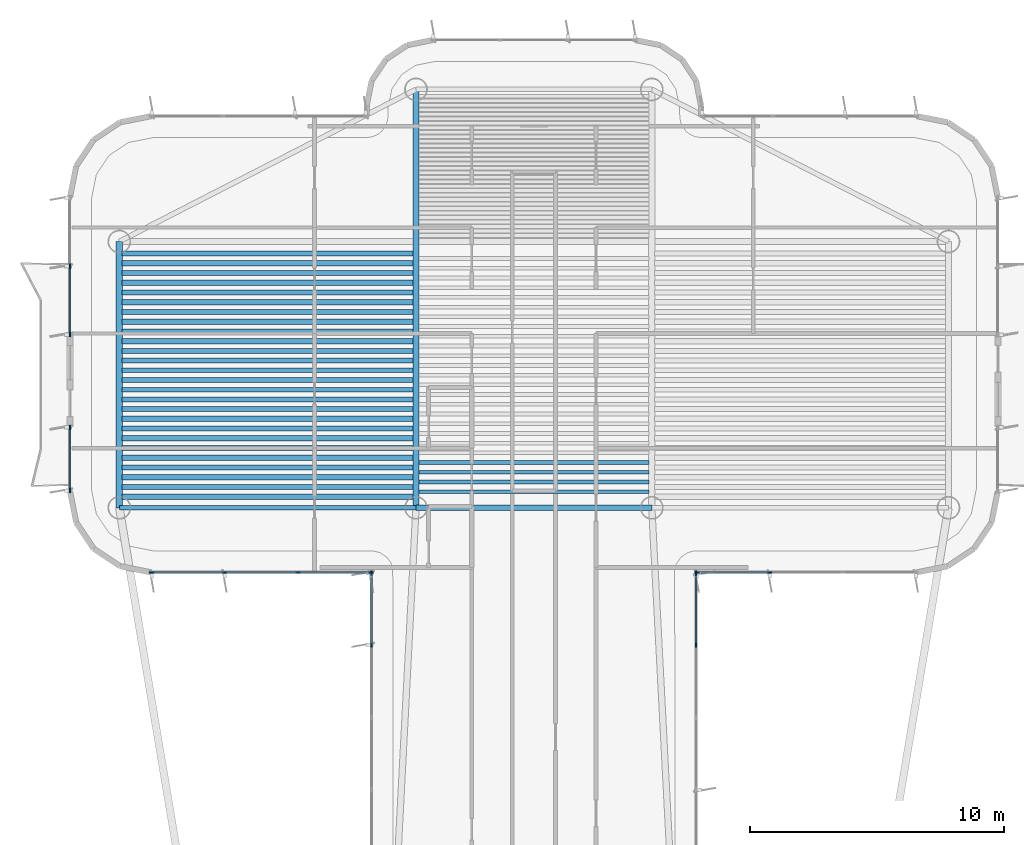
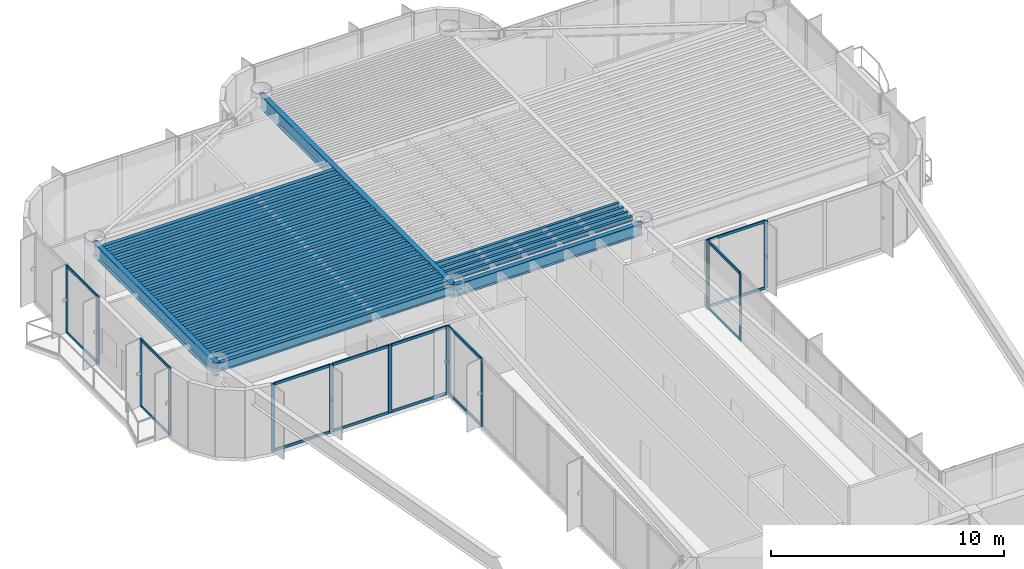
# One storey, part 5 of 15: 34 beams, 30 members, 6 elements without a shape of their own.
"""IFC4 building model written with IfcOpenShell, lengths in metres."""

import ifcopenshell
import ifcopenshell.guid

model = None  # the IFC model being written
_history = None  # IfcOwnerHistory: only IFC2X3 demands one
_inside = {}  # id of a spatial element -> (the spatial element, [elements in it])
_under = {}  # id of a project, library or spatial element -> (it, [spatial elements below it])
_declared = {}  # id of a project -> (the project, [libraries it declares])
_typed = {}  # id of a type object -> (the type object, [elements of that type])
_made_of = {}  # id of a material, layer set ... -> (it, [elements and type objects made of it])


def new_model(schema):
    """Start an empty IFC model of exactly this schema.

    Asked for "IFC4X3", IfcOpenShell would pick the latest addendum, in which some entities
    have other attributes; the version numbers below select the first issue.
    IFC2X3 requires an IfcOwnerHistory on every rooted entity: one is made here for all.
    """
    global model, _history
    if schema == "IFC4X3":
        model = ifcopenshell.file(schema_version=(4, 3, 0, 0))
    else:
        model = ifcopenshell.file(schema=schema)
    _inside.clear()
    _under.clear()
    _declared.clear()
    _typed.clear()
    _made_of.clear()
    _history = None
    if model.schema == "IFC2X3":
        org = make("IfcOrganization", Name="unknown")
        user = make(
            "IfcPersonAndOrganization",
            ThePerson=make("IfcPerson", FamilyName="unknown"),
            TheOrganization=org,
        )
        app = make(
            "IfcApplication",
            ApplicationDeveloper=org,
            Version="unknown",
            ApplicationFullName="unknown",
            ApplicationIdentifier="unknown",
        )
        _history = make(
            "IfcOwnerHistory",
            OwningUser=user,
            OwningApplication=app,
            ChangeAction="ADDED",
            CreationDate=0,
        )
    return model


def make(cls, **values):
    """One entity of the class cls with the attributes given. An attribute that is None is left unset."""
    return model.create_entity(
        cls, **{name: value for name, value in values.items() if value is not None}
    )


def rooted(cls, **values):
    """An entity with a GlobalId (a new one), such as an element, a storey or a relation."""
    return make(cls, GlobalId=ifcopenshell.guid.new(), OwnerHistory=_history, **values)


def si_unit(unit_type, name, prefix=None):
    """IfcSIUnit, for example si_unit("LENGTHUNIT", "METRE", prefix="MILLI")."""
    return make("IfcSIUnit", UnitType=unit_type, Prefix=prefix, Name=name)


def assignment(units):
    """IfcUnitAssignment: the units of a project."""
    return None if units is None else make("IfcUnitAssignment", Units=units)


def point(xyz):
    """IfcCartesianPoint."""
    return None if xyz is None else make("IfcCartesianPoint", Coordinates=xyz)


def direction(xyz):
    """IfcDirection."""
    return None if xyz is None else make("IfcDirection", DirectionRatios=xyz)


def frame(location, z_axis=None, x_axis=None):
    """IfcAxis2Placement3D, a coordinate frame: its origin and axes. An axis left out is left unset."""
    return make(
        "IfcAxis2Placement3D",
        Location=point(location),
        Axis=direction(z_axis),
        RefDirection=direction(x_axis),
    )


def frame_2d(location, x_axis=None):
    """IfcAxis2Placement2D, a coordinate frame in the plane: its origin and x axis."""
    return make(
        "IfcAxis2Placement2D", Location=point(location), RefDirection=direction(x_axis)
    )


def origin():
    """The frame at (0, 0, 0) with its axes left unset."""
    return frame((0.0, 0.0, 0.0))


def origin_2d():
    """The frame at (0, 0) in the plane with its x axis left unset."""
    return frame_2d((0.0, 0.0))


def place(relative_to, where):
    """IfcLocalPlacement: puts the frame where relative to a parent placement (None: the world)."""
    return make(
        "IfcLocalPlacement", PlacementRelTo=relative_to, RelativePlacement=where
    )


def context(
    kind, dimensions, precision=None, world=None, true_north=None, identifier=None
):
    """IfcGeometricRepresentationContext, for example the 3D "Model" context."""
    return make(
        "IfcGeometricRepresentationContext",
        ContextIdentifier=identifier,
        ContextType=kind,
        CoordinateSpaceDimension=dimensions,
        Precision=precision,
        WorldCoordinateSystem=world,
        TrueNorth=true_north,
    )


def subcontext(parent, identifier, kind, view, scale=None):
    """IfcGeometricRepresentationSubContext, for example "Body" below "Model"."""
    return make(
        "IfcGeometricRepresentationSubContext",
        ContextIdentifier=identifier,
        ContextType=kind,
        ParentContext=parent,
        TargetScale=scale,
        TargetView=view,
    )


def project(units=None, contexts=None):
    """IfcProject with its units and contexts."""
    return rooted(
        "IfcProject",
        Name="project",
        RepresentationContexts=contexts,
        UnitsInContext=assignment(units),
    )


def spatial(cls, under=None, at=None, **own):
    """A site, building, storey or space (cls), placed at a placement, below another one or the project."""
    s = rooted(cls, ObjectPlacement=at, **own)
    if under is not None:
        _under.setdefault(under.id(), (under, []))[1].append(s)
    return s


def profile(cls, at=None, kind="AREA", **sizes):
    """A parametric profile (cls). Its sizes go by their IFC names, for example OverallWidth=200.0."""
    return make(cls, ProfileType=kind, Position=at, **sizes)


def rectangle(**sizes):
    """IfcRectangleProfileDef."""
    return profile("IfcRectangleProfileDef", **sizes)


def i_section(**sizes):
    """IfcIShapeProfileDef."""
    return profile("IfcIShapeProfileDef", **sizes)


def extrude(swept, where, along, depth):
    """IfcExtrudedAreaSolid: the profile swept, set in the frame where, extruded along a direction by depth."""
    return make(
        "IfcExtrudedAreaSolid",
        SweptArea=swept,
        Position=where,
        ExtrudedDirection=direction(along),
        Depth=depth,
    )


def shape(context_of_items, identifier, shape_type, items):
    """IfcShapeRepresentation: the items that make up one representation, for example the "Body"."""
    return make(
        "IfcShapeRepresentation",
        ContextOfItems=context_of_items,
        RepresentationIdentifier=identifier,
        RepresentationType=shape_type,
        Items=items,
    )


def source(mapping_origin, context_of_items, identifier, shape_type, items):
    """IfcRepresentationMap: a shape defined once, which mapped items show again and again."""
    return make(
        "IfcRepresentationMap",
        MappingOrigin=mapping_origin,
        MappedRepresentation=shape(context_of_items, identifier, shape_type, items),
    )


def transform(
    local_origin,
    x_axis=None,
    y_axis=None,
    z_axis=None,
    scale=None,
    scale2=None,
    scale3=None,
    uniform=True,
):
    """IfcCartesianTransformationOperator3D, or its non-uniform kind. x_axis, y_axis, z_axis: its Axis1, 2, 3."""
    if uniform:
        return make(
            "IfcCartesianTransformationOperator3D",
            Axis1=direction(x_axis),
            Axis2=direction(y_axis),
            LocalOrigin=point(local_origin),
            Scale=scale,
            Axis3=direction(z_axis),
        )
    return make(
        "IfcCartesianTransformationOperator3DnonUniform",
        Axis1=direction(x_axis),
        Axis2=direction(y_axis),
        LocalOrigin=point(local_origin),
        Scale=scale,
        Axis3=direction(z_axis),
        Scale2=scale2,
        Scale3=scale3,
    )


def mapped(mapping_source, mapping_target):
    """IfcMappedItem: shows the shape of a source again, moved by a transform."""
    return make(
        "IfcMappedItem", MappingSource=mapping_source, MappingTarget=mapping_target
    )


def material(Name=None, Category=None):
    """IfcMaterial."""
    return make("IfcMaterial", Name=Name, Category=Category)


def layer(
    of_material, thickness, ventilated=None, Name=None, Category=None, Priority=None
):
    """IfcMaterialLayer: one layer of a wall or slab, of a material (None: an air gap)."""
    return make(
        "IfcMaterialLayer",
        Material=of_material,
        LayerThickness=thickness,
        IsVentilated=ventilated,
        Name=Name,
        Category=Category,
        Priority=Priority,
    )


def layer_set(layers, Name=None):
    """IfcMaterialLayerSet."""
    return make("IfcMaterialLayerSet", MaterialLayers=layers, LayerSetName=Name)


def material_profile(
    of_material, cross_section, Name=None, Category=None, Priority=None
):
    """IfcMaterialProfile: a cross section and its material."""
    return make(
        "IfcMaterialProfile",
        Name=Name,
        Material=of_material,
        Profile=cross_section,
        Priority=Priority,
        Category=Category,
    )


def profile_set(profiles, Name=None, composite=None):
    """IfcMaterialProfileSet."""
    return make(
        "IfcMaterialProfileSet",
        Name=Name,
        MaterialProfiles=profiles,
        CompositeProfile=composite,
    )


def made_of(thing, what):
    """Note that an element or type object is made of a material, layer set ...; save() writes the relation."""
    if what is not None:
        _made_of.setdefault(what.id(), (what, []))[1].append(thing)
    return thing


def type_object(cls, material=None, **own):
    """A type object (cls), such as IfcWallType, which elements share."""
    return made_of(rooted(cls, **own), material)


def element(
    cls,
    number,
    at=None,
    inside=None,
    cuts=None,
    type_object=None,
    material=None,
    context=None,
    identifier="Body",
    shape_type=None,
    held_by="IfcProductDefinitionShape",
    body=None,
    shapes=None,
    **own,
):
    """One element of the class cls, such as IfcWall. Its Tag is "e" and its number.

    at: its placement. inside: the storey or other place that contains it. cuts: it is an
    opening in that element (IfcRelVoidsElement). A single representation is given by context,
    identifier, shape_type and body (its items); several are given by shapes. held_by: the class
    of the entity that holds the representations. save() writes the other relations.
    """
    e = rooted(cls, Tag="e%d" % number, ObjectPlacement=at, **own)
    if body is not None:
        shapes = [shape(context, identifier, shape_type, body)]
    if shapes is not None:
        e.Representation = make(held_by, Representations=shapes)
    if inside is not None:
        _inside.setdefault(inside.id(), (inside, []))[1].append(e)
    if cuts is not None:
        rooted(
            "IfcRelVoidsElement", RelatingBuildingElement=cuts, RelatedOpeningElement=e
        )
    if type_object is not None:
        _typed.setdefault(type_object.id(), (type_object, []))[1].append(e)
    return made_of(e, material)


def aggregate(whole, parts):
    """IfcRelAggregates: a whole, such as a stair, and the parts it consists of."""
    return rooted("IfcRelAggregates", RelatingObject=whole, RelatedObjects=parts)


def save(model, path):
    """Write the relations noted so far, then the file.

    IfcRelAggregates (storeys below a building ...), IfcRelContainedInSpatialStructure (elements
    in a storey), IfcRelDefinesByType, IfcRelAssociatesMaterial and IfcRelDeclares: one each for
    every whole, place, type object, material and project.
    """
    for whole, parts in _under.values():
        aggregate(whole, parts)
    for where, things in _inside.values():
        rooted(
            "IfcRelContainedInSpatialStructure",
            RelatedElements=things,
            RelatingStructure=where,
        )
    for kind, things in _typed.values():
        rooted("IfcRelDefinesByType", RelatedObjects=things, RelatingType=kind)
    for what, things in _made_of.values():
        rooted("IfcRelAssociatesMaterial", RelatedObjects=things, RelatingMaterial=what)
    for by, libraries in _declared.values():
        rooted("IfcRelDeclares", RelatingContext=by, RelatedDefinitions=libraries)
    model.write(path)


model = new_model("IFC4")

# Units and contexts
model_context = context("Model", 3, precision=1e-05, world=origin(), true_north=direction((0.0, 1.0)))
body_context = subcontext(model_context, "Body", "Model", "MODEL_VIEW")
ifc_project = project(units=[si_unit("LENGTHUNIT", "METRE"), si_unit("AREAUNIT", "SQUARE_METRE"), si_unit("VOLUMEUNIT", "CUBIC_METRE"), si_unit("PLANEANGLEUNIT", "RADIAN"), si_unit("MASSUNIT", "GRAM", prefix="KILO")], contexts=[model_context])

# Site, building, storey
site_placement = place(None, origin())
site = spatial("IfcSite", under=ifc_project, at=site_placement, CompositionType="ELEMENT")
building_placement = place(site_placement, origin())
building = spatial("IfcBuilding", under=site, at=building_placement, Name="Brelvock Crest Care Tower", CompositionType="ELEMENT")
storey_placement = place(building_placement, frame((0.0, 0.0, 264.60009765625)))
storey = spatial("IfcBuildingStorey", under=building, at=storey_placement, Name="L67", CompositionType="ELEMENT", Elevation=264.60009765625)

# Beams
ifc_material_1 = material(Name="Steel Grade 350", Category="steel")
ifc_material_profile_1 = material_profile(ifc_material_1, i_section(OverallWidth=0.25, OverallDepth=0.699951171875, WebThickness=0.011962890625, FlangeThickness=0.02001953125, at=origin_2d()), Name="700WB150")
ifc_profile_set_1 = profile_set([ifc_material_profile_1], Name="Steel Grade 350")
beam_type_1 = type_object("IfcBeamType", Name="BM-G4", PredefinedType="BEAM", material=ifc_profile_set_1)
shared_shape_1 = source(origin(), body_context, "Body", "SweptSolid", [
    extrude(i_section(OverallWidth=0.25, OverallDepth=0.699951171875, WebThickness=0.011962890625, FlangeThickness=0.02001953125, at=origin_2d()), origin(), (0.0, 0.0, 1.0), 10.5),
])
beam_1_placement = place(storey_placement, frame((19.64990234375, 43.949951171875, 3.179931640625), z_axis=(0.0, 1.0, 0.0), x_axis=(-1.0, 0.0, 0.0)))
element("IfcBeam", 1, at=beam_1_placement, inside=storey, type_object=beam_type_1, Name="BM-TWR-L67-01", PredefinedType="BEAM", context=body_context, shape_type="MappedRepresentation", body=[
    mapped(shared_shape_1, transform((0.0, 0.0, 0.0), x_axis=(1.0, 0.0, 0.0), y_axis=(0.0, 1.0, 0.0), z_axis=(0.0, 0.0, 1.0), scale=1.0)),
])
ifc_material_profile_2 = material_profile(ifc_material_1, i_section(OverallWidth=0.22900390625, OverallDepth=0.612060546875, WebThickness=0.011962890625, FlangeThickness=0.01953125, FilletRadius=0.013916015625, at=origin_2d()), Name="610UB125")
ifc_profile_set_2 = profile_set([ifc_material_profile_2], Name="Steel Grade 350")
beam_type_2 = type_object("IfcBeamType", Name="BM-G1", PredefinedType="BEAM", material=ifc_profile_set_2)
shared_shape_2 = source(origin(), body_context, "Body", "SweptSolid", [
    extrude(i_section(OverallWidth=0.22900390625, OverallDepth=0.612060546875, WebThickness=0.011962890625, FlangeThickness=0.01953125, FilletRadius=0.013916015625, at=origin_2d()), origin(), (0.0, 0.0, 1.0), 9.2998046875),
])
beam_2_placement = place(storey_placement, frame((31.35009765625, 43.949951171875, 3.223876953125), z_axis=(1.0, 0.0, 0.0), x_axis=(0.0, 1.0, 0.0)))
element("IfcBeam", 2, at=beam_2_placement, inside=storey, type_object=beam_type_2, Name="BM-TWR-L67-05", PredefinedType="BEAM", context=body_context, shape_type="MappedRepresentation", body=[
    mapped(shared_shape_2, transform((0.0, 0.0, 0.0), x_axis=(1.0, 0.0, 0.0), y_axis=(0.0, 1.0, 0.0), z_axis=(0.0, 0.0, 1.0), scale=1.0)),
])
ifc_material_profile_3 = material_profile(ifc_material_1, i_section(OverallWidth=0.14599609375, OverallDepth=0.256103515625, WebThickness=0.00634765625, FlangeThickness=0.010986328125, FilletRadius=0.0087890625, at=origin_2d()), Name="250UB37.3")
ifc_profile_set_3 = profile_set([ifc_material_profile_3], Name="Steel Grade 350")
beam_type_3 = type_object("IfcBeamType", Name="BM-J3", PredefinedType="JOIST", material=ifc_profile_set_3)
shared_shape_3 = source(origin(), body_context, "Body", "SweptSolid", [
    extrude(i_section(OverallWidth=0.14599609375, OverallDepth=0.256103515625, WebThickness=0.00634765625, FlangeThickness=0.010986328125, FilletRadius=0.0087890625, at=origin_2d()), origin(), (0.0, 0.0, 1.0), 9.06982421875),
])
for number, where, z_axis, x_axis, name in (
    (3, (31.465087890625, 44.58251953125, 3.40185546875), (1.0, 0.0, 0.0), (0.0, 1.0, 0.0), "BM-JH-L67-1"),
    (4, (31.465087890625, 44.9658203125, 3.40185546875), (1.0, 0.0, 0.0), (0.0, 1.0, 0.0), "BM-JH-L67-2"),
    (5, (31.465087890625, 45.34912109375, 3.40185546875), (1.0, 0.0, 0.0), (0.0, 1.0, 0.0), "BM-JH-L67-3"),
    (6, (31.465087890625, 45.732421875, 3.40185546875), (1.0, 0.0, 0.0), (0.0, 1.0, 0.0), "BM-JH-L67-4"),
):
    element("IfcBeam", number, at=place(storey_placement, frame(where, z_axis=z_axis, x_axis=x_axis)), inside=storey, type_object=beam_type_3, Name=name, PredefinedType="JOIST", context=body_context, shape_type="MappedRepresentation", body=[
        mapped(shared_shape_3, transform((0.0, 0.0, 0.0), x_axis=(1.0, 0.0, 0.0), y_axis=(0.0, 1.0, 0.0), z_axis=(0.0, 0.0, 1.0), scale=1.0)),
    ])
ifc_material_profile_4 = material_profile(ifc_material_1, i_section(OverallWidth=0.19091796875, OverallDepth=0.4599609375, WebThickness=0.010009765625, FlangeThickness=0.01611328125, FilletRadius=0.011474609375, at=origin_2d()), Name="460UB82.1")
ifc_profile_set_4 = profile_set([ifc_material_profile_4], Name="Steel Grade 350")
beam_type_4 = type_object("IfcBeamType", Name="BM-G3", PredefinedType="BEAM", material=ifc_profile_set_4)
shared_shape_4 = source(origin(), body_context, "Body", "SweptSolid", [
    extrude(i_section(OverallWidth=0.19091796875, OverallDepth=0.4599609375, WebThickness=0.010009765625, FlangeThickness=0.01611328125, FilletRadius=0.011474609375, at=origin_2d()), origin(), (0.0, 0.0, 1.0), 11.47021484375),
])
for number, where, z_axis, x_axis, name in (
    (7, (19.764892578125, 44.7744140625, 3.2998046875), (1.0, 0.0, 0.0), (0.0, 1.0, 0.0), "BM-JW-L67-2"),
    (8, (19.764892578125, 45.540771484375, 3.2998046875), (1.0, 0.0, 0.0), (0.0, 1.0, 0.0), "BM-JW-L67-4"),
    (9, (19.764892578125, 46.307373046875, 3.2998046875), (1.0, 0.0, 0.0), (0.0, 1.0, 0.0), "BM-JW-L67-6"),
    (10, (19.764892578125, 47.07373046875, 3.2998046875), (1.0, 0.0, 0.0), (0.0, 1.0, 0.0), "BM-JW-L67-8"),
    (11, (19.764892578125, 47.84033203125, 3.2998046875), (1.0, 0.0, 0.0), (0.0, 1.0, 0.0), "BM-JW-L67-10"),
    (12, (19.764892578125, 48.606689453125, 3.2998046875), (1.0, 0.0, 0.0), (0.0, 1.0, 0.0), "BM-JW-L67-12"),
    (13, (19.764892578125, 49.373291015625, 3.2998046875), (1.0, 0.0, 0.0), (0.0, 1.0, 0.0), "BM-JW-L67-14"),
    (14, (19.764892578125, 50.139892578125, 3.2998046875), (1.0, 0.0, 0.0), (0.0, 1.0, 0.0), "BM-JW-L67-16"),
    (15, (19.764892578125, 50.90625, 3.2998046875), (1.0, 0.0, 0.0), (0.0, 1.0, 0.0), "BM-JW-L67-18"),
    (16, (19.764892578125, 51.6728515625, 3.2998046875), (1.0, 0.0, 0.0), (0.0, 1.0, 0.0), "BM-JW-L67-20"),
    (17, (19.764892578125, 52.439208984375, 3.2998046875), (1.0, 0.0, 0.0), (0.0, 1.0, 0.0), "BM-JW-L67-22"),
    (18, (19.764892578125, 53.205810546875, 3.2998046875), (1.0, 0.0, 0.0), (0.0, 1.0, 0.0), "BM-JW-L67-24"),
    (19, (19.764892578125, 53.972412109375, 3.2998046875), (1.0, 0.0, 0.0), (0.0, 1.0, 0.0), "BM-JW-L67-26"),
):
    element("IfcBeam", number, at=place(storey_placement, frame(where, z_axis=z_axis, x_axis=x_axis)), inside=storey, type_object=beam_type_4, Name=name, PredefinedType="BEAM", context=body_context, shape_type="MappedRepresentation", body=[
        mapped(shared_shape_4, transform((0.0, 0.0, 0.0), x_axis=(1.0, 0.0, 0.0), y_axis=(0.0, 1.0, 0.0), z_axis=(0.0, 0.0, 1.0), scale=1.0)),
    ])
ifc_material_profile_5 = material_profile(ifc_material_1, i_section(OverallWidth=0.208984375, OverallDepth=0.532958984375, WebThickness=0.01025390625, FlangeThickness=0.015625, FilletRadius=0.013916015625, at=origin_2d()), Name="530UB92.4")
ifc_profile_set_5 = profile_set([ifc_material_profile_5], Name="Steel Grade 350")
beam_type_5 = type_object("IfcBeamType", Name="BM-G2", PredefinedType="BEAM", material=ifc_profile_set_5)
shared_shape_5 = source(origin(), body_context, "Body", "SweptSolid", [
    extrude(i_section(OverallWidth=0.208984375, OverallDepth=0.532958984375, WebThickness=0.01025390625, FlangeThickness=0.015625, FilletRadius=0.013916015625, at=origin_2d()), origin(), (0.0, 0.0, 1.0), 11.47021484375),
])
for number, where, z_axis, x_axis, name in (
    (20, (19.764892578125, 44.39111328125, 3.263427734375), (1.0, 0.0, 0.0), (0.0, 1.0, 0.0), "BM-JW-L67-1"),
    (21, (19.764892578125, 45.157470703125, 3.263427734375), (1.0, 0.0, 0.0), (0.0, 1.0, 0.0), "BM-JW-L67-3"),
    (22, (19.764892578125, 45.924072265625, 3.263427734375), (1.0, 0.0, 0.0), (0.0, 1.0, 0.0), "BM-JW-L67-5"),
    (23, (19.764892578125, 46.6904296875, 3.263427734375), (1.0, 0.0, 0.0), (0.0, 1.0, 0.0), "BM-JW-L67-7"),
    (24, (19.764892578125, 47.45703125, 3.263427734375), (1.0, 0.0, 0.0), (0.0, 1.0, 0.0), "BM-JW-L67-9"),
    (25, (19.764892578125, 48.223388671875, 3.263427734375), (1.0, 0.0, 0.0), (0.0, 1.0, 0.0), "BM-JW-L67-11"),
    (26, (19.764892578125, 48.989990234375, 3.263427734375), (1.0, 0.0, 0.0), (0.0, 1.0, 0.0), "BM-JW-L67-13"),
    (27, (19.764892578125, 49.756591796875, 3.263427734375), (1.0, 0.0, 0.0), (0.0, 1.0, 0.0), "BM-JW-L67-15"),
    (28, (19.764892578125, 50.52294921875, 3.263427734375), (1.0, 0.0, 0.0), (0.0, 1.0, 0.0), "BM-JW-L67-17"),
    (29, (19.764892578125, 51.28955078125, 3.263427734375), (1.0, 0.0, 0.0), (0.0, 1.0, 0.0), "BM-JW-L67-19"),
    (30, (19.764892578125, 52.055908203125, 3.263427734375), (1.0, 0.0, 0.0), (0.0, 1.0, 0.0), "BM-JW-L67-21"),
    (31, (19.764892578125, 52.822509765625, 3.263427734375), (1.0, 0.0, 0.0), (0.0, 1.0, 0.0), "BM-JW-L67-23"),
    (32, (19.764892578125, 53.589111328125, 3.263427734375), (1.0, 0.0, 0.0), (0.0, 1.0, 0.0), "BM-JW-L67-25"),
):
    element("IfcBeam", number, at=place(storey_placement, frame(where, z_axis=z_axis, x_axis=x_axis)), inside=storey, type_object=beam_type_5, Name=name, PredefinedType="BEAM", context=body_context, shape_type="MappedRepresentation", body=[
        mapped(shared_shape_5, transform((0.0, 0.0, 0.0), x_axis=(1.0, 0.0, 0.0), y_axis=(0.0, 1.0, 0.0), z_axis=(0.0, 0.0, 1.0), scale=1.0)),
    ])
ifc_material_profile_6 = material_profile(ifc_material_1, i_section(OverallWidth=0.19091796875, OverallDepth=0.4599609375, WebThickness=0.010009765625, FlangeThickness=0.01611328125, FilletRadius=0.011474609375, at=origin_2d()), Name="460UB82.1")
ifc_profile_set_6 = profile_set([ifc_material_profile_6], Name="Steel Grade 350")
beam_type_6 = type_object("IfcBeamType", Name="BM-SP2", PredefinedType="SPANDREL", material=ifc_profile_set_6)
shared_shape_6 = source(origin(), body_context, "Body", "SweptSolid", [
    extrude(i_section(OverallWidth=0.19091796875, OverallDepth=0.4599609375, WebThickness=0.010009765625, FlangeThickness=0.01611328125, FilletRadius=0.011474609375, at=origin_2d()), origin(), (0.0, 0.0, 1.0), 11.7001953125),
])
beam_3_placement = place(storey_placement, frame((19.64990234375, 43.949951171875, 3.2998046875), z_axis=(1.0, 0.0, 0.0), x_axis=(0.0, 1.0, 0.0)))
element("IfcBeam", 33, at=beam_3_placement, inside=storey, type_object=beam_type_6, Name="BM-TWR-L67-03", PredefinedType="SPANDREL", context=body_context, shape_type="MappedRepresentation", body=[
    mapped(shared_shape_6, transform((0.0, 0.0, 0.0), x_axis=(1.0, 0.0, 0.0), y_axis=(0.0, 1.0, 0.0), z_axis=(0.0, 0.0, 1.0), scale=1.0)),
])
shared_shape_7 = source(origin(), body_context, "Body", "SweptSolid", [
    extrude(i_section(OverallWidth=0.25, OverallDepth=0.699951171875, WebThickness=0.011962890625, FlangeThickness=0.02001953125, at=origin_2d()), origin(), (0.0, 0.0, 1.0), 16.5),
])
beam_4_placement = place(storey_placement, frame((31.35009765625, 43.949951171875, 3.179931640625), z_axis=(0.0, 1.0, 0.0), x_axis=(-1.0, 0.0, 0.0)))
element("IfcBeam", 34, at=beam_4_placement, inside=storey, type_object=beam_type_1, Name="BM-TWR-L67-09", PredefinedType="BEAM", context=body_context, shape_type="MappedRepresentation", body=[
    mapped(shared_shape_7, transform((0.0, 0.0, 0.0), x_axis=(1.0, 0.0, 0.0), y_axis=(0.0, 1.0, 0.0), z_axis=(0.0, 0.0, 1.0), scale=1.0)),
])

# Curtain wall, members
ifc_material_2 = material(Name="Dark Glass Double Glazed Low-E", Category="glass")
ifc_layer = layer(ifc_material_2, 0.239990234375, Name="CWS-5")
ifc_layer_set = layer_set([ifc_layer], Name="Dark Glass Double Glazed Low-E")
curtain_wall_type = type_object("IfcCurtainWallType", Name="CWS-5", PredefinedType="NOTDEFINED", material=ifc_layer_set)
curtain_wall_1_placement = place(storey_placement, origin())
curtain_wall_1 = element("IfcCurtainWall", 35, at=curtain_wall_1_placement, inside=storey, type_object=curtain_wall_type, Name="L67 Curtain Wall E11", PredefinedType="NOTDEFINED")
ifc_material_3 = material(Name="Aluminium 6063-T6", Category="aluminium")
ifc_material_profile_7 = material_profile(ifc_material_3, rectangle(XDim=0.06005859375, YDim=0.179931640625, at=origin_2d()), Name="ALU60x180")
ifc_profile_set_7 = profile_set([ifc_material_profile_7], Name="Aluminium 6063-T6")
member_type_1 = type_object("IfcMemberType", Name="CWM-2", PredefinedType="MULLION", material=ifc_profile_set_7)
shared_shape_8 = source(origin(), body_context, "Body", "SweptSolid", [
    extrude(rectangle(XDim=0.06005859375, YDim=0.179931640625, at=origin_2d()), origin(), (0.0, 0.0, 1.0), 3.52978515625),
])
member_1_placement = place(storey_placement, frame((29.60009765625, 38.54296875, 0.0), z_axis=(0.0, 0.0, 1.0), x_axis=(-1.0, 0.0, 0.0)))
member_1 = element("IfcMember", 36, at=member_1_placement, type_object=member_type_1, Name="CW-5 mullion 7", PredefinedType="MULLION", context=body_context, shape_type="MappedRepresentation", body=[
    mapped(shared_shape_8, transform((0.0, 0.0, 0.0), x_axis=(1.0, 0.0, 0.0), y_axis=(0.0, 1.0, 0.0), z_axis=(0.0, 0.0, 1.0), scale=1.0)),
])
member_2_placement = place(storey_placement, frame((29.60009765625, 41.3701171875, 0.0), z_axis=(0.0, 0.0, 1.0), x_axis=(-1.0, 0.0, 0.0)))
member_2 = element("IfcMember", 37, at=member_2_placement, type_object=member_type_1, Name="CW-5 mullion 8", PredefinedType="MULLION", context=body_context, shape_type="MappedRepresentation", body=[
    mapped(shared_shape_8, transform((0.0, 0.0, 0.0), x_axis=(1.0, 0.0, 0.0), y_axis=(0.0, 1.0, 0.0), z_axis=(0.0, 0.0, 1.0), scale=1.0)),
])

curtain_wall_2_placement = place(storey_placement, origin())
curtain_wall_2 = element("IfcCurtainWall", 38, at=curtain_wall_2_placement, inside=storey, type_object=curtain_wall_type, Name="L67 Curtain Wall E12", PredefinedType="NOTDEFINED")
member_3_placement = place(storey_placement, frame((29.570068359375, 41.39990234375, 0.0), z_axis=(0.0, 0.0, 1.0), x_axis=(0.0, -1.0, 0.0)))
member_3 = element("IfcMember", 39, at=member_3_placement, type_object=member_type_1, Name="CW-5 mullion 1", PredefinedType="MULLION", context=body_context, shape_type="MappedRepresentation", body=[
    mapped(shared_shape_8, transform((0.0, 0.0, 0.0), x_axis=(1.0, 0.0, 0.0), y_axis=(0.0, 1.0, 0.0), z_axis=(0.0, 0.0, 1.0), scale=1.0)),
])
member_4_placement = place(storey_placement, frame((26.699951171875, 41.39990234375, 0.0), z_axis=(0.0, 0.0, 1.0), x_axis=(0.0, -1.0, 0.0)))
member_4 = element("IfcMember", 40, at=member_4_placement, type_object=member_type_1, Name="CW-5 mullion 2", PredefinedType="MULLION", context=body_context, shape_type="MappedRepresentation", body=[
    mapped(shared_shape_8, transform((0.0, 0.0, 0.0), x_axis=(1.0, 0.0, 0.0), y_axis=(0.0, 1.0, 0.0), z_axis=(0.0, 0.0, 1.0), scale=1.0)),
])
member_5_placement = place(storey_placement, frame((23.800048828125, 41.39990234375, 0.0), z_axis=(0.0, 0.0, 1.0), x_axis=(0.0, -1.0, 0.0)))
member_5 = element("IfcMember", 41, at=member_5_placement, type_object=member_type_1, Name="CW-5 mullion 3", PredefinedType="MULLION", context=body_context, shape_type="MappedRepresentation", body=[
    mapped(shared_shape_8, transform((0.0, 0.0, 0.0), x_axis=(1.0, 0.0, 0.0), y_axis=(0.0, 1.0, 0.0), z_axis=(0.0, 0.0, 1.0), scale=1.0)),
])
member_6_placement = place(storey_placement, frame((20.929931640625, 41.39990234375, 0.0), z_axis=(0.0, 0.0, 1.0), x_axis=(0.0, -1.0, 0.0)))
member_6 = element("IfcMember", 42, at=member_6_placement, type_object=member_type_1, Name="CW-5 mullion 4", PredefinedType="MULLION", context=body_context, shape_type="MappedRepresentation", body=[
    mapped(shared_shape_8, transform((0.0, 0.0, 0.0), x_axis=(1.0, 0.0, 0.0), y_axis=(0.0, 1.0, 0.0), z_axis=(0.0, 0.0, 1.0), scale=1.0)),
])

curtain_wall_3_placement = place(storey_placement, origin())
curtain_wall_3 = element("IfcCurtainWall", 43, at=curtain_wall_3_placement, inside=storey, type_object=curtain_wall_type, Name="L67 Curtain Wall E17A", PredefinedType="NOTDEFINED")
member_7_placement = place(storey_placement, frame((17.699951171875, 44.6298828125, 0.0), z_axis=(0.0, 0.0, 1.0), x_axis=(-1.0, 0.0, 0.0)))
member_7 = element("IfcMember", 44, at=member_7_placement, type_object=member_type_1, Name="CW-5 mullion 1", PredefinedType="MULLION", context=body_context, shape_type="MappedRepresentation", body=[
    mapped(shared_shape_8, transform((0.0, 0.0, 0.0), x_axis=(1.0, 0.0, 0.0), y_axis=(0.0, 1.0, 0.0), z_axis=(0.0, 0.0, 1.0), scale=1.0)),
])
member_8_placement = place(storey_placement, frame((17.699951171875, 47.1201171875, 0.0), z_axis=(0.0, 0.0, 1.0), x_axis=(-1.0, 0.0, 0.0)))
member_8 = element("IfcMember", 45, at=member_8_placement, type_object=member_type_1, Name="CW-5 mullion 2", PredefinedType="MULLION", context=body_context, shape_type="MappedRepresentation", body=[
    mapped(shared_shape_8, transform((0.0, 0.0, 0.0), x_axis=(1.0, 0.0, 0.0), y_axis=(0.0, 1.0, 0.0), z_axis=(0.0, 0.0, 1.0), scale=1.0)),
])

curtain_wall_4_placement = place(storey_placement, origin())
curtain_wall_4 = element("IfcCurtainWall", 46, at=curtain_wall_4_placement, inside=storey, type_object=curtain_wall_type, Name="L67 Curtain Wall E17B", PredefinedType="NOTDEFINED")
member_9_placement = place(storey_placement, frame((17.699951171875, 50.780029296875, 0.0), z_axis=(0.0, 0.0, 1.0), x_axis=(-1.0, 0.0, 0.0)))
member_9 = element("IfcMember", 47, at=member_9_placement, type_object=member_type_1, Name="CW-5 mullion 1", PredefinedType="MULLION", context=body_context, shape_type="MappedRepresentation", body=[
    mapped(shared_shape_8, transform((0.0, 0.0, 0.0), x_axis=(1.0, 0.0, 0.0), y_axis=(0.0, 1.0, 0.0), z_axis=(0.0, 0.0, 1.0), scale=1.0)),
])
member_10_placement = place(storey_placement, frame((17.699951171875, 53.47509765625, 0.0), z_axis=(0.0, 0.0, 1.0), x_axis=(-1.0, 0.0, 0.0)))
member_10 = element("IfcMember", 48, at=member_10_placement, type_object=member_type_1, Name="CW-5 mullion 2", PredefinedType="MULLION", context=body_context, shape_type="MappedRepresentation", body=[
    mapped(shared_shape_8, transform((0.0, 0.0, 0.0), x_axis=(1.0, 0.0, 0.0), y_axis=(0.0, 1.0, 0.0), z_axis=(0.0, 0.0, 1.0), scale=1.0)),
])

curtain_wall_5_placement = place(storey_placement, origin())
curtain_wall_5 = element("IfcCurtainWall", 49, at=curtain_wall_5_placement, inside=storey, type_object=curtain_wall_type, Name="L67 Curtain Wall E44", PredefinedType="NOTDEFINED")
member_11_placement = place(storey_placement, frame((45.300048828125, 41.39990234375, 0.0), z_axis=(0.0, 0.0, 1.0), x_axis=(0.0, -1.0, 0.0)))
member_11 = element("IfcMember", 50, at=member_11_placement, type_object=member_type_1, Name="CW-5 mullion 3", PredefinedType="MULLION", context=body_context, shape_type="MappedRepresentation", body=[
    mapped(shared_shape_8, transform((0.0, 0.0, 0.0), x_axis=(1.0, 0.0, 0.0), y_axis=(0.0, 1.0, 0.0), z_axis=(0.0, 0.0, 1.0), scale=1.0)),
])
member_12_placement = place(storey_placement, frame((42.429931640625, 41.39990234375, 0.0), z_axis=(0.0, 0.0, 1.0), x_axis=(0.0, -1.0, 0.0)))
member_12 = element("IfcMember", 51, at=member_12_placement, type_object=member_type_1, Name="CW-5 mullion 4", PredefinedType="MULLION", context=body_context, shape_type="MappedRepresentation", body=[
    mapped(shared_shape_8, transform((0.0, 0.0, 0.0), x_axis=(1.0, 0.0, 0.0), y_axis=(0.0, 1.0, 0.0), z_axis=(0.0, 0.0, 1.0), scale=1.0)),
])

curtain_wall_6_placement = place(storey_placement, origin())
curtain_wall_6 = element("IfcCurtainWall", 52, at=curtain_wall_6_placement, inside=storey, type_object=curtain_wall_type, Name="L67 Curtain Wall E45", PredefinedType="NOTDEFINED")
member_13_placement = place(storey_placement, frame((42.39990234375, 41.3701171875, 0.0), z_axis=(0.0, 0.0, 1.0), x_axis=(1.0, 0.0, 0.0)))
member_13 = element("IfcMember", 53, at=member_13_placement, type_object=member_type_1, Name="CW-5 mullion 1", PredefinedType="MULLION", context=body_context, shape_type="MappedRepresentation", body=[
    mapped(shared_shape_8, transform((0.0, 0.0, 0.0), x_axis=(1.0, 0.0, 0.0), y_axis=(0.0, 1.0, 0.0), z_axis=(0.0, 0.0, 1.0), scale=1.0)),
])
member_14_placement = place(storey_placement, frame((42.39990234375, 38.54296875, 0.0), z_axis=(0.0, 0.0, 1.0), x_axis=(1.0, 0.0, 0.0)))
member_14 = element("IfcMember", 54, at=member_14_placement, type_object=member_type_1, Name="CW-5 mullion 2", PredefinedType="MULLION", context=body_context, shape_type="MappedRepresentation", body=[
    mapped(shared_shape_8, transform((0.0, 0.0, 0.0), x_axis=(1.0, 0.0, 0.0), y_axis=(0.0, 1.0, 0.0), z_axis=(0.0, 0.0, 1.0), scale=1.0)),
])

# Member
ifc_material_profile_8 = material_profile(ifc_material_3, rectangle(XDim=0.06005859375, YDim=0.139892578125, at=origin_2d()), Name="ALU60x140")
ifc_profile_set_8 = profile_set([ifc_material_profile_8], Name="Aluminium 6063-T6")
member_type_2 = type_object("IfcMemberType", Name="CWT-2", PredefinedType="USERDEFINED", material=ifc_profile_set_8)
shared_shape_9 = source(origin(), body_context, "Body", "SweptSolid", [
    extrude(rectangle(XDim=0.06005859375, YDim=0.139892578125, at=origin_2d()), origin(), (0.0, 0.0, 1.0), 2.767333984375),
])
member_15_placement = place(storey_placement, frame((29.60009765625, 38.57275390625, 0.02978515625), z_axis=(0.0, 1.0, 0.0), x_axis=(-1.0, 0.0, 0.0)))
member_15 = element("IfcMember", 55, at=member_15_placement, type_object=member_type_2, Name="CW-5 transom 7.1", ObjectType="TRANSOM", PredefinedType="USERDEFINED", context=body_context, shape_type="MappedRepresentation", body=[
    mapped(shared_shape_9, transform((0.0, 0.0, 0.0), x_axis=(1.0, 0.0, 0.0), y_axis=(0.0, 1.0, 0.0), z_axis=(0.0, 0.0, 1.0), scale=1.0)),
])

member_16_placement = place(storey_placement, frame((29.60009765625, 38.57275390625, 3.5), z_axis=(0.0, 1.0, 0.0), x_axis=(-1.0, 0.0, 0.0)))
member_16 = element("IfcMember", 56, at=member_16_placement, type_object=member_type_2, Name="CW-5 transom 7.2", ObjectType="TRANSOM", PredefinedType="USERDEFINED", context=body_context, shape_type="MappedRepresentation", body=[
    mapped(shared_shape_9, transform((0.0, 0.0, 0.0), x_axis=(1.0, 0.0, 0.0), y_axis=(0.0, 1.0, 0.0), z_axis=(0.0, 0.0, 1.0), scale=1.0)),
])

aggregate(curtain_wall_1, [member_1, member_2, member_15, member_16])

member_17_placement = place(storey_placement, frame((42.39990234375, 41.340087890625, 0.02978515625), z_axis=(0.0, -1.0, 0.0), x_axis=(1.0, 0.0, 0.0)))
member_17 = element("IfcMember", 57, at=member_17_placement, type_object=member_type_2, Name="CW-5 transom 1.1", ObjectType="TRANSOM", PredefinedType="USERDEFINED", context=body_context, shape_type="MappedRepresentation", body=[
    mapped(shared_shape_9, transform((0.0, 0.0, 0.0), x_axis=(1.0, 0.0, 0.0), y_axis=(0.0, 1.0, 0.0), z_axis=(0.0, 0.0, 1.0), scale=1.0)),
])

member_18_placement = place(storey_placement, frame((42.39990234375, 41.340087890625, 3.5), z_axis=(0.0, -1.0, 0.0), x_axis=(1.0, 0.0, 0.0)))
member_18 = element("IfcMember", 58, at=member_18_placement, type_object=member_type_2, Name="CW-5 transom 1.2", ObjectType="TRANSOM", PredefinedType="USERDEFINED", context=body_context, shape_type="MappedRepresentation", body=[
    mapped(shared_shape_9, transform((0.0, 0.0, 0.0), x_axis=(1.0, 0.0, 0.0), y_axis=(0.0, 1.0, 0.0), z_axis=(0.0, 0.0, 1.0), scale=1.0)),
])

aggregate(curtain_wall_6, [member_13, member_14, member_17, member_18])

shared_shape_10 = source(origin(), body_context, "Body", "SweptSolid", [
    extrude(rectangle(XDim=0.06005859375, YDim=0.139892578125, at=origin_2d()), origin(), (0.0, 0.0, 1.0), 2.81005859375),
])
member_19_placement = place(storey_placement, frame((29.5400390625, 41.39990234375, 0.02978515625), z_axis=(-1.0, 0.0, 0.0), x_axis=(0.0, -1.0, 0.0)))
member_19 = element("IfcMember", 59, at=member_19_placement, type_object=member_type_2, Name="CW-5 transom 1.1", ObjectType="TRANSOM", PredefinedType="USERDEFINED", context=body_context, shape_type="MappedRepresentation", body=[
    mapped(shared_shape_10, transform((0.0, 0.0, 0.0), x_axis=(1.0, 0.0, 0.0), y_axis=(0.0, 1.0, 0.0), z_axis=(0.0, 0.0, 1.0), scale=1.0)),
])

member_20_placement = place(storey_placement, frame((29.5400390625, 41.39990234375, 3.5), z_axis=(-1.0, 0.0, 0.0), x_axis=(0.0, -1.0, 0.0)))
member_20 = element("IfcMember", 60, at=member_20_placement, type_object=member_type_2, Name="CW-5 transom 1.2", ObjectType="TRANSOM", PredefinedType="USERDEFINED", context=body_context, shape_type="MappedRepresentation", body=[
    mapped(shared_shape_10, transform((0.0, 0.0, 0.0), x_axis=(1.0, 0.0, 0.0), y_axis=(0.0, 1.0, 0.0), z_axis=(0.0, 0.0, 1.0), scale=1.0)),
])

member_21_placement = place(storey_placement, frame((23.77001953125, 41.39990234375, 0.02978515625), z_axis=(-1.0, 0.0, 0.0), x_axis=(0.0, -1.0, 0.0)))
member_21 = element("IfcMember", 61, at=member_21_placement, type_object=member_type_2, Name="CW-5 transom 3.1", ObjectType="TRANSOM", PredefinedType="USERDEFINED", context=body_context, shape_type="MappedRepresentation", body=[
    mapped(shared_shape_10, transform((0.0, 0.0, 0.0), x_axis=(1.0, 0.0, 0.0), y_axis=(0.0, 1.0, 0.0), z_axis=(0.0, 0.0, 1.0), scale=1.0)),
])

member_22_placement = place(storey_placement, frame((23.77001953125, 41.39990234375, 3.5), z_axis=(-1.0, 0.0, 0.0), x_axis=(0.0, -1.0, 0.0)))
member_22 = element("IfcMember", 62, at=member_22_placement, type_object=member_type_2, Name="CW-5 transom 3.2", ObjectType="TRANSOM", PredefinedType="USERDEFINED", context=body_context, shape_type="MappedRepresentation", body=[
    mapped(shared_shape_10, transform((0.0, 0.0, 0.0), x_axis=(1.0, 0.0, 0.0), y_axis=(0.0, 1.0, 0.0), z_axis=(0.0, 0.0, 1.0), scale=1.0)),
])

member_23_placement = place(storey_placement, frame((45.27001953125, 41.39990234375, 0.02978515625), z_axis=(-1.0, 0.0, 0.0), x_axis=(0.0, -1.0, 0.0)))
member_23 = element("IfcMember", 63, at=member_23_placement, type_object=member_type_2, Name="CW-5 transom 3.1", ObjectType="TRANSOM", PredefinedType="USERDEFINED", context=body_context, shape_type="MappedRepresentation", body=[
    mapped(shared_shape_10, transform((0.0, 0.0, 0.0), x_axis=(1.0, 0.0, 0.0), y_axis=(0.0, 1.0, 0.0), z_axis=(0.0, 0.0, 1.0), scale=1.0)),
])

member_24_placement = place(storey_placement, frame((45.27001953125, 41.39990234375, 3.5), z_axis=(-1.0, 0.0, 0.0), x_axis=(0.0, -1.0, 0.0)))
member_24 = element("IfcMember", 64, at=member_24_placement, type_object=member_type_2, Name="CW-5 transom 3.2", ObjectType="TRANSOM", PredefinedType="USERDEFINED", context=body_context, shape_type="MappedRepresentation", body=[
    mapped(shared_shape_10, transform((0.0, 0.0, 0.0), x_axis=(1.0, 0.0, 0.0), y_axis=(0.0, 1.0, 0.0), z_axis=(0.0, 0.0, 1.0), scale=1.0)),
])

aggregate(curtain_wall_5, [member_11, member_12, member_23, member_24])

shared_shape_11 = source(origin(), body_context, "Body", "SweptSolid", [
    extrude(rectangle(XDim=0.06005859375, YDim=0.139892578125, at=origin_2d()), origin(), (0.0, 0.0, 1.0), 2.83984375),
])
member_25_placement = place(storey_placement, frame((26.669921875, 41.39990234375, 0.02978515625), z_axis=(-1.0, 0.0, 0.0), x_axis=(0.0, -1.0, 0.0)))
member_25 = element("IfcMember", 65, at=member_25_placement, type_object=member_type_2, Name="CW-5 transom 2.1", ObjectType="TRANSOM", PredefinedType="USERDEFINED", context=body_context, shape_type="MappedRepresentation", body=[
    mapped(shared_shape_11, transform((0.0, 0.0, 0.0), x_axis=(1.0, 0.0, 0.0), y_axis=(0.0, 1.0, 0.0), z_axis=(0.0, 0.0, 1.0), scale=1.0)),
])

member_26_placement = place(storey_placement, frame((26.669921875, 41.39990234375, 3.5), z_axis=(-1.0, 0.0, 0.0), x_axis=(0.0, -1.0, 0.0)))
member_26 = element("IfcMember", 66, at=member_26_placement, type_object=member_type_2, Name="CW-5 transom 2.2", ObjectType="TRANSOM", PredefinedType="USERDEFINED", context=body_context, shape_type="MappedRepresentation", body=[
    mapped(shared_shape_11, transform((0.0, 0.0, 0.0), x_axis=(1.0, 0.0, 0.0), y_axis=(0.0, 1.0, 0.0), z_axis=(0.0, 0.0, 1.0), scale=1.0)),
])

aggregate(curtain_wall_2, [member_3, member_4, member_5, member_6, member_19, member_20, member_25, member_26, member_21, member_22])

shared_shape_12 = source(origin(), body_context, "Body", "SweptSolid", [
    extrude(rectangle(XDim=0.06005859375, YDim=0.139892578125, at=origin_2d()), origin(), (0.0, 0.0, 1.0), 2.43017578125),
])
member_27_placement = place(storey_placement, frame((17.699951171875, 44.659912109375, 0.02978515625), z_axis=(0.0, 1.0, 0.0), x_axis=(-1.0, 0.0, 0.0)))
member_27 = element("IfcMember", 67, at=member_27_placement, type_object=member_type_2, Name="CW-5 transom 1.1", ObjectType="TRANSOM", PredefinedType="USERDEFINED", context=body_context, shape_type="MappedRepresentation", body=[
    mapped(shared_shape_12, transform((0.0, 0.0, 0.0), x_axis=(1.0, 0.0, 0.0), y_axis=(0.0, 1.0, 0.0), z_axis=(0.0, 0.0, 1.0), scale=1.0)),
])

member_28_placement = place(storey_placement, frame((17.699951171875, 44.659912109375, 3.5), z_axis=(0.0, 1.0, 0.0), x_axis=(-1.0, 0.0, 0.0)))
member_28 = element("IfcMember", 68, at=member_28_placement, type_object=member_type_2, Name="CW-5 transom 1.2", ObjectType="TRANSOM", PredefinedType="USERDEFINED", context=body_context, shape_type="MappedRepresentation", body=[
    mapped(shared_shape_12, transform((0.0, 0.0, 0.0), x_axis=(1.0, 0.0, 0.0), y_axis=(0.0, 1.0, 0.0), z_axis=(0.0, 0.0, 1.0), scale=1.0)),
])

aggregate(curtain_wall_3, [member_7, member_8, member_27, member_28])

shared_shape_13 = source(origin(), body_context, "Body", "SweptSolid", [
    extrude(rectangle(XDim=0.06005859375, YDim=0.139892578125, at=origin_2d()), origin(), (0.0, 0.0, 1.0), 2.635009765625),
])
member_29_placement = place(storey_placement, frame((17.699951171875, 50.81005859375, 0.02978515625), z_axis=(0.0, 1.0, 0.0), x_axis=(-1.0, 0.0, 0.0)))
member_29 = element("IfcMember", 69, at=member_29_placement, type_object=member_type_2, Name="CW-5 transom 1.1", ObjectType="TRANSOM", PredefinedType="USERDEFINED", context=body_context, shape_type="MappedRepresentation", body=[
    mapped(shared_shape_13, transform((0.0, 0.0, 0.0), x_axis=(1.0, 0.0, 0.0), y_axis=(0.0, 1.0, 0.0), z_axis=(0.0, 0.0, 1.0), scale=1.0)),
])

member_30_placement = place(storey_placement, frame((17.699951171875, 50.81005859375, 3.5), z_axis=(0.0, 1.0, 0.0), x_axis=(-1.0, 0.0, 0.0)))
member_30 = element("IfcMember", 70, at=member_30_placement, type_object=member_type_2, Name="CW-5 transom 1.2", ObjectType="TRANSOM", PredefinedType="USERDEFINED", context=body_context, shape_type="MappedRepresentation", body=[
    mapped(shared_shape_13, transform((0.0, 0.0, 0.0), x_axis=(1.0, 0.0, 0.0), y_axis=(0.0, 1.0, 0.0), z_axis=(0.0, 0.0, 1.0), scale=1.0)),
])

aggregate(curtain_wall_4, [member_9, member_10, member_29, member_30])

save(model, "model.ifc")
